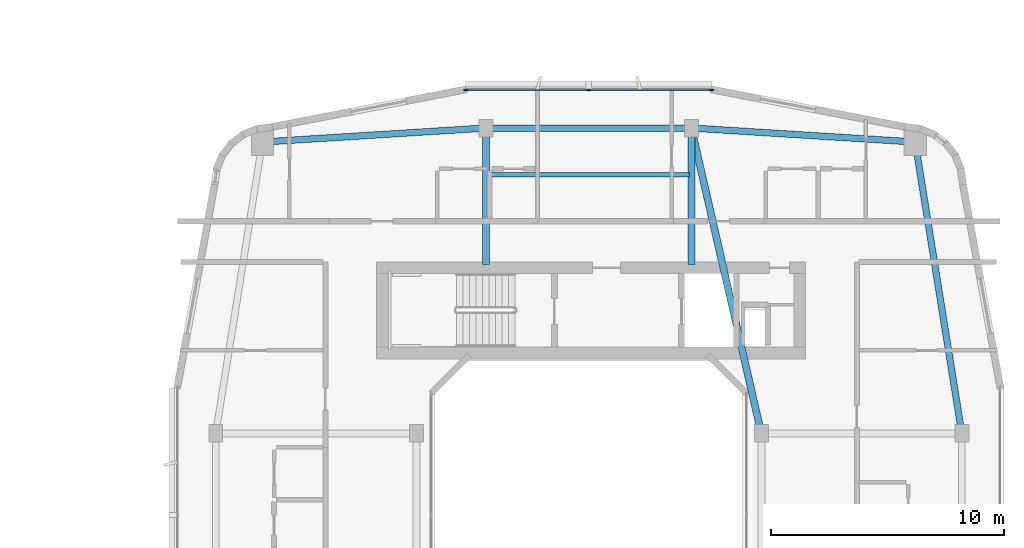
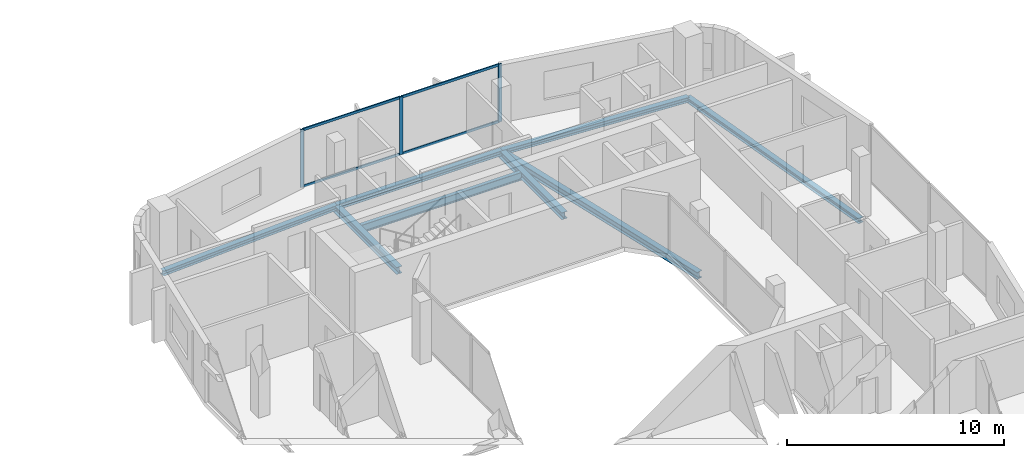
# One storey, part 7 of 24: 8 beams, 7 members, 1 element without a shape of its own.
"""IFC4 building model written with IfcOpenShell, lengths in metres."""

from ifc_helpers import new_model, si_unit, derived_unit, direction, frame, origin, origin_2d, place, context, subcontext, project, spatial, rectangle, i_section, extrude, material, layer, layer_set, material_profile, profile_set, type_object, element, aggregate, save


model = new_model("IFC4")

# Units and contexts
model_context = context("Model", 3, precision=1e-05, world=origin(), true_north=direction((0.0, 1.0)))
body_context = subcontext(model_context, "Body", "Model", "MODEL_VIEW")
ifc_project = project(units=[si_unit("LENGTHUNIT", "METRE"), si_unit("AREAUNIT", "SQUARE_METRE"), si_unit("VOLUMEUNIT", "CUBIC_METRE"), si_unit("PLANEANGLEUNIT", "RADIAN"), si_unit("MASSUNIT", "GRAM", prefix="KILO"), derived_unit("THERMALTRANSMITTANCEUNIT", [(si_unit("POWERUNIT", "WATT"), 1), (si_unit("LENGTHUNIT", "METRE"), -2), (si_unit("THERMODYNAMICTEMPERATUREUNIT", "KELVIN"), -1)])], contexts=[model_context])

# Site, building, storey
site_placement = place(None, origin())
site = spatial("IfcSite", under=ifc_project, at=site_placement, CompositionType="ELEMENT")
building_placement = place(site_placement, origin())
building = spatial("IfcBuilding", under=site, at=building_placement, Name="Kivonza Crest Hotel", CompositionType="ELEMENT")
storey_placement = place(building_placement, frame((0.0, 0.0, 80.0)))
storey = spatial("IfcBuildingStorey", under=building, at=storey_placement, Name="L21", CompositionType="ELEMENT", Elevation=80.0)

# Beams
ifc_material_1 = material(Name="Steel S355", Category="steel")
ifc_material_profile_1 = material_profile(ifc_material_1, i_section(OverallWidth=0.280029296875, OverallDepth=0.280029296875, WebThickness=0.010498046875, FlangeThickness=0.01806640625, FilletRadius=0.02392578125, at=origin_2d()), Name="HEB 280")
ifc_profile_set_1 = profile_set([ifc_material_profile_1], Name="Steel S355")
beam_type_1 = type_object("IfcBeamType", Name="BM-HEB280", PredefinedType="SPANDREL", material=ifc_profile_set_1)
beam_1_placement = place(storey_placement, frame((93.0, 28.5, -0.389892578125), z_axis=(-0.157990501107, 0.987440631917, 0.0), x_axis=(-0.987440631917, -0.157990501107, 0.0)))
element("IfcBeam", 1, at=beam_1_placement, inside=storey, type_object=beam_type_1, Name="Companion Tower T2 L21 perimeter spandrel E2-NE", PredefinedType="SPANDREL", context=body_context, shape_type="SweptSolid", body=[
    extrude(i_section(OverallWidth=0.280029296875, OverallDepth=0.280029296875, WebThickness=0.010498046875, FlangeThickness=0.01806640625, FilletRadius=0.02392578125, at=origin_2d()), origin(), (0.0, 0.0, 1.0), 12.658935546875),
])
beam_2_placement = place(storey_placement, frame((91.0, 41.0, -0.389892578125), z_axis=(-0.998051985873, 0.062387767186, 0.0), x_axis=(-0.062387767186, -0.998051985873, 0.0)))
element("IfcBeam", 2, at=beam_2_placement, inside=storey, type_object=beam_type_1, Name="Companion Tower T2 L21 perimeter spandrel NE-N2", PredefinedType="SPANDREL", context=body_context, shape_type="SweptSolid", body=[
    extrude(i_section(OverallWidth=0.280029296875, OverallDepth=0.280029296875, WebThickness=0.010498046875, FlangeThickness=0.01806640625, FilletRadius=0.02392578125, at=origin_2d()), origin(), (0.0, 0.0, 1.0), 9.618896484375),
])
beam_3_placement = place(storey_placement, frame((81.39990234375, 41.60009765625, -0.389892578125), z_axis=(-1.0, 0.0, 0.0), x_axis=(0.0, -1.0, 0.0)))
element("IfcBeam", 3, at=beam_3_placement, inside=storey, type_object=beam_type_1, Name="Companion Tower T2 L21 perimeter spandrel N2-N1", PredefinedType="SPANDREL", context=body_context, shape_type="SweptSolid", body=[
    extrude(i_section(OverallWidth=0.280029296875, OverallDepth=0.280029296875, WebThickness=0.010498046875, FlangeThickness=0.01806640625, FilletRadius=0.02392578125, at=origin_2d()), origin(), (0.0, 0.0, 1.0), 8.7998046875),
])
beam_4_placement = place(storey_placement, frame((72.60009765625, 41.60009765625, -0.389892578125), z_axis=(-0.998051985873, -0.062387767186, 0.0), x_axis=(0.062387767186, -0.998051985873, 0.0)))
element("IfcBeam", 4, at=beam_4_placement, inside=storey, type_object=beam_type_1, Name="Companion Tower T2 L21 perimeter spandrel N1-NW", PredefinedType="SPANDREL", context=body_context, shape_type="SweptSolid", body=[
    extrude(i_section(OverallWidth=0.280029296875, OverallDepth=0.280029296875, WebThickness=0.010498046875, FlangeThickness=0.01806640625, FilletRadius=0.02392578125, at=origin_2d()), origin(), (0.0, 0.0, 1.0), 9.618896484375),
])
ifc_material_profile_2 = material_profile(ifc_material_1, i_section(OverallWidth=0.300048828125, OverallDepth=0.39990234375, WebThickness=0.013427734375, FlangeThickness=0.02392578125, FilletRadius=0.027099609375, at=origin_2d()), Name="HEB 400")
ifc_profile_set_2 = profile_set([ifc_material_profile_2], Name="Steel S355")
beam_type_2 = type_object("IfcBeamType", Name="BM-HEB400", PredefinedType="BEAM", material=ifc_profile_set_2)
beam_5_placement = place(storey_placement, frame((84.39990234375, 28.5, -0.449951171875), z_axis=(-0.223227287589, 0.974766422317, 0.0), x_axis=(-0.974766422317, -0.223227287589, 0.0)))
element("IfcBeam", 5, at=beam_5_placement, inside=storey, type_object=beam_type_2, Name="Companion Tower T2 L21 girder WR2-N2", PredefinedType="BEAM", context=body_context, shape_type="SweptSolid", body=[
    extrude(i_section(OverallWidth=0.300048828125, OverallDepth=0.39990234375, WebThickness=0.013427734375, FlangeThickness=0.02392578125, FilletRadius=0.027099609375, at=origin_2d()), origin(), (0.0, 0.0, 1.0), 13.439208984375),
])
for number, where, z_axis, x_axis, name in (
    (6, (72.60009765625, 41.60009765625, -0.449951171875), (0.0, -1.0, 0.0), (1.0, 0.0, 0.0), "Companion T2 L21 radial core girder RN1"),
    (7, (81.39990234375, 41.60009765625, -0.449951171875), (0.0, -1.0, 0.0), (1.0, 0.0, 0.0), "Companion T2 L21 radial core girder RN2"),
):
    element("IfcBeam", number, at=place(storey_placement, frame(where, z_axis=z_axis, x_axis=x_axis)), inside=storey, type_object=beam_type_2, Name=name, PredefinedType="BEAM", context=body_context, shape_type="SweptSolid", body=[
        extrude(i_section(OverallWidth=0.300048828125, OverallDepth=0.39990234375, WebThickness=0.013427734375, FlangeThickness=0.02392578125, FilletRadius=0.027099609375, at=origin_2d()), origin(), (0.0, 0.0, 1.0), 5.85009765625),
    ])
ifc_material_profile_3 = material_profile(ifc_material_1, i_section(OverallWidth=0.18994140625, OverallDepth=0.449951171875, WebThickness=0.009521484375, FlangeThickness=0.0146484375, FilletRadius=0.02099609375, at=origin_2d()), Name="IPE 450")
ifc_profile_set_3 = profile_set([ifc_material_profile_3], Name="Steel S355")
beam_type_3 = type_object("IfcBeamType", Name="BM-IPE450", PredefinedType="JOIST", material=ifc_profile_set_3)
beam_6_placement = place(storey_placement, frame((72.679931640625, 39.60009765625, -0.47509765625), z_axis=(1.0, 0.0, 0.0), x_axis=(0.0, 1.0, 0.0)))
element("IfcBeam", 8, at=beam_6_placement, inside=storey, type_object=beam_type_3, Name="Companion Tower T2 L21 North floor joist", PredefinedType="JOIST", context=body_context, shape_type="SweptSolid", body=[
    extrude(i_section(OverallWidth=0.18994140625, OverallDepth=0.449951171875, WebThickness=0.009521484375, FlangeThickness=0.0146484375, FilletRadius=0.02099609375, at=origin_2d()), origin(), (0.0, 0.0, 1.0), 8.64013671875),
])

# Curtain wall, members
ifc_material_2 = material(Name="Anodised bronze aluminium and low-E double glazing", Category="aluminium")
ifc_layer = layer(ifc_material_2, 0.179931640625)
ifc_layer_set = layer_set([ifc_layer], Name="Anodised bronze aluminium and low-E double glazing")
curtain_wall_type = type_object("IfcCurtainWallType", Name="CW-SYS-4", PredefinedType="NOTDEFINED", material=ifc_layer_set)
curtain_wall_placement = place(storey_placement, origin())
curtain_wall = element("IfcCurtainWall", 9, at=curtain_wall_placement, inside=storey, type_object=curtain_wall_type, Name="L21 unitised curtain wall CW-T2-L21-26", PredefinedType="NOTDEFINED")
ifc_material_3 = material(Name="Anodised bronze aluminium", Category="aluminium")
ifc_material_profile_4 = material_profile(ifc_material_3, rectangle(XDim=0.06494140625, YDim=0.179931640625, at=origin_2d()), Name="CW-M 65x180")
ifc_profile_set_4 = profile_set([ifc_material_profile_4], Name="Anodised bronze aluminium")
member_type_1 = type_object("IfcMemberType", Name="CW-MUL-65x180", PredefinedType="MULLION", material=ifc_profile_set_4)
member_1_placement = place(storey_placement, frame((82.267578125, 43.239990234375, 0.0), z_axis=(0.0, 0.0, 1.0), x_axis=(0.0, -1.0, 0.0)))
member_1 = element("IfcMember", 10, at=member_1_placement, type_object=member_type_1, Name="CW-4 mullion 1", PredefinedType="MULLION", context=body_context, shape_type="SweptSolid", body=[
    extrude(rectangle(XDim=0.06494140625, YDim=0.179931640625, at=origin_2d()), origin(), (0.0, 0.0, 1.0), 3.25),
])
member_2_placement = place(storey_placement, frame((77.0, 43.239990234375, 0.0), z_axis=(0.0, 0.0, 1.0), x_axis=(0.0, -1.0, 0.0)))
member_2 = element("IfcMember", 11, at=member_2_placement, type_object=member_type_1, Name="CW-4 mullion 2", PredefinedType="MULLION", context=body_context, shape_type="SweptSolid", body=[
    extrude(rectangle(XDim=0.06494140625, YDim=0.179931640625, at=origin_2d()), origin(), (0.0, 0.0, 1.0), 3.25),
])
member_3_placement = place(storey_placement, frame((71.732421875, 43.239990234375, 0.0), z_axis=(0.0, 0.0, 1.0), x_axis=(0.0, -1.0, 0.0)))
member_3 = element("IfcMember", 12, at=member_3_placement, type_object=member_type_1, Name="CW-4 mullion 3", PredefinedType="MULLION", context=body_context, shape_type="SweptSolid", body=[
    extrude(rectangle(XDim=0.06494140625, YDim=0.179931640625, at=origin_2d()), origin(), (0.0, 0.0, 1.0), 3.25),
])
ifc_material_profile_5 = material_profile(ifc_material_3, rectangle(XDim=0.06494140625, YDim=0.139892578125, at=origin_2d()), Name="CW-T 65x140")
ifc_profile_set_5 = profile_set([ifc_material_profile_5], Name="Anodised bronze aluminium")
member_type_2 = type_object("IfcMemberType", Name="CW-TRN-65x140", PredefinedType="USERDEFINED", material=ifc_profile_set_5)
member_4_placement = place(storey_placement, frame((82.235107421875, 43.239990234375, 0.032470703125), z_axis=(-1.0, 0.0, 0.0), x_axis=(0.0, -1.0, 0.0)))
member_4 = element("IfcMember", 13, at=member_4_placement, type_object=member_type_2, Name="CW-4 transom 1.1", ObjectType="TRANSOM", PredefinedType="USERDEFINED", context=body_context, shape_type="SweptSolid", body=[
    extrude(rectangle(XDim=0.06494140625, YDim=0.139892578125, at=origin_2d()), origin(), (0.0, 0.0, 1.0), 5.20263671875),
])
member_5_placement = place(storey_placement, frame((82.235107421875, 43.239990234375, 3.217529296875), z_axis=(-1.0, 0.0, 0.0), x_axis=(0.0, -1.0, 0.0)))
member_5 = element("IfcMember", 14, at=member_5_placement, type_object=member_type_2, Name="CW-4 transom 1.2", ObjectType="TRANSOM", PredefinedType="USERDEFINED", context=body_context, shape_type="SweptSolid", body=[
    extrude(rectangle(XDim=0.06494140625, YDim=0.139892578125, at=origin_2d()), origin(), (0.0, 0.0, 1.0), 5.20263671875),
])
member_6_placement = place(storey_placement, frame((76.967529296875, 43.239990234375, 0.032470703125), z_axis=(-1.0, 0.0, 0.0), x_axis=(0.0, -1.0, 0.0)))
member_6 = element("IfcMember", 15, at=member_6_placement, type_object=member_type_2, Name="CW-4 transom 2.1", ObjectType="TRANSOM", PredefinedType="USERDEFINED", context=body_context, shape_type="SweptSolid", body=[
    extrude(rectangle(XDim=0.06494140625, YDim=0.139892578125, at=origin_2d()), origin(), (0.0, 0.0, 1.0), 5.20263671875),
])
member_7_placement = place(storey_placement, frame((76.967529296875, 43.239990234375, 3.217529296875), z_axis=(-1.0, 0.0, 0.0), x_axis=(0.0, -1.0, 0.0)))
member_7 = element("IfcMember", 16, at=member_7_placement, type_object=member_type_2, Name="CW-4 transom 2.2", ObjectType="TRANSOM", PredefinedType="USERDEFINED", context=body_context, shape_type="SweptSolid", body=[
    extrude(rectangle(XDim=0.06494140625, YDim=0.139892578125, at=origin_2d()), origin(), (0.0, 0.0, 1.0), 5.20263671875),
])
aggregate(curtain_wall, [member_1, member_2, member_3, member_4, member_5, member_6, member_7])

save(model, "model.ifc")
